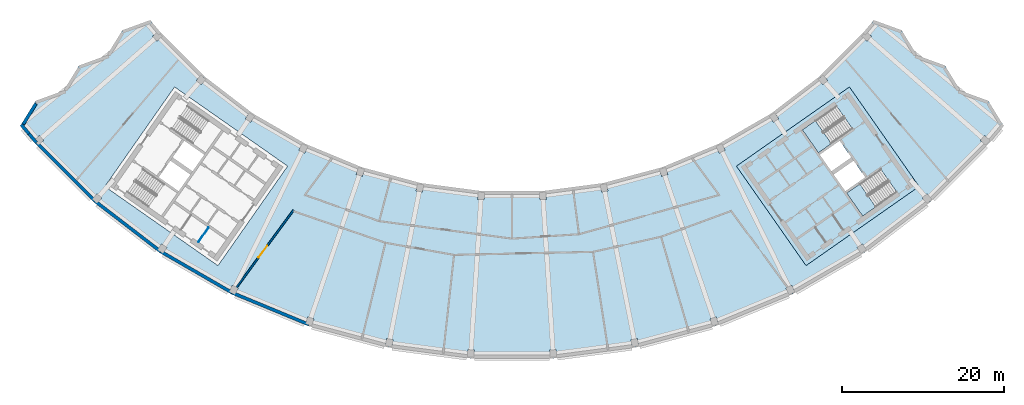
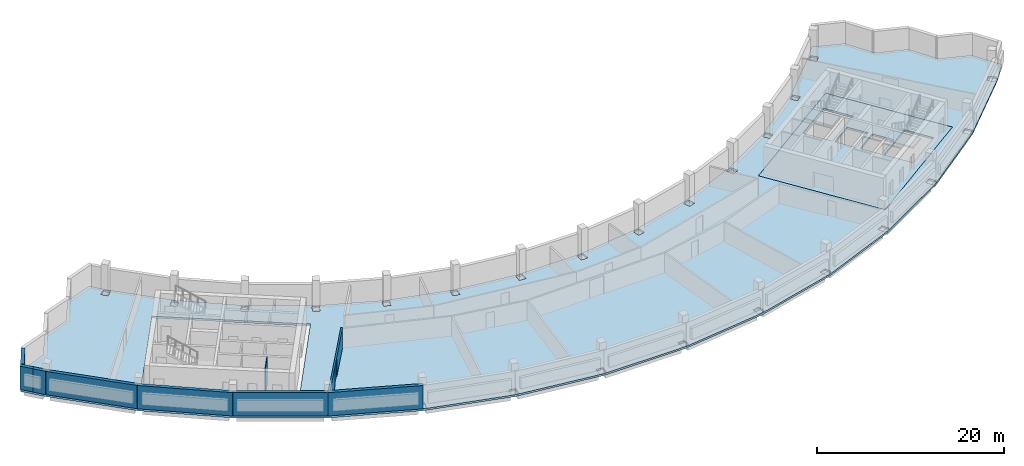
# One storey, part 2 of 11: 9 walls, 4 slabs, 1 door, 1 opening, 2 elements without a shape of their own.
"""IFC4 building model written with IfcOpenShell, lengths in metres."""

from ifc_helpers import new_model, si_unit, direction, frame, frame_2d, origin, place, context, subcontext, project, spatial, polyline, rectangle, outline, extrude, material, layer, layer_set, type_object, element, fill, aggregate, save


model = new_model("IFC4")

# Units and contexts
model_context = context("Model", 3, precision=1e-05, world=origin(), true_north=direction((0.0, 1.0)))
body_context = subcontext(model_context, "Body", "Model", "MODEL_VIEW")
ifc_project = project(units=[si_unit("LENGTHUNIT", "METRE"), si_unit("AREAUNIT", "SQUARE_METRE"), si_unit("VOLUMEUNIT", "CUBIC_METRE"), si_unit("PLANEANGLEUNIT", "RADIAN"), si_unit("MASSUNIT", "GRAM", prefix="KILO")], contexts=[model_context])

# Site, building, storey
site_placement = place(None, origin())
site = spatial("IfcSite", under=ifc_project, at=site_placement, CompositionType="ELEMENT")
building_placement = place(site_placement, origin())
building = spatial("IfcBuilding", under=site, at=building_placement, Name="Qamariyya Broadcast Tower", CompositionType="ELEMENT")
storey_placement = place(building_placement, frame((0.0, 0.0, 302.699951171875)))
storey = spatial("IfcBuildingStorey", under=building, at=storey_placement, Name="L73", CompositionType="ELEMENT", Elevation=302.699951171875)

# Slabs
ifc_material_1 = material(Name="Concrete C40/50", Category="concrete")
ifc_layer_1 = layer(ifc_material_1, 0.25)
ifc_layer_set_1 = layer_set([ifc_layer_1], Name="Core floor slab 250 mm Concrete C40/50")
slab_type_1 = type_object("IfcSlabType", Name="Core floor slab 250 mm Concrete C40/50", PredefinedType="FLOOR", material=ifc_layer_set_1)
slab_1_placement = place(storey_placement, frame((0.0, 0.0, -0.25)))
element("IfcSlab", 1, at=slab_1_placement, inside=storey, type_object=slab_type_1, Name="k-E-L73-slab", PredefinedType="FLOOR", context=body_context, shape_type="SweptSolid", body=[
    extrude(outline(polyline([(36.32373046875, -66.734375), (50.286376953125, -56.95751953125), (41.6826171875, -44.67041015625), (27.719970703125, -54.447021484375), (36.32373046875, -66.734375)]), holes=[polyline([(39.742431640625, -55.489990234375), (42.199951171875, -53.769287109375), (43.6337890625, -55.817138671875), (41.17626953125, -57.537841796875), (39.742431640625, -55.489990234375)]), polyline([(39.45556640625, -55.080322265625), (41.9130859375, -53.359619140625), (40.47900390625, -51.311767578125), (38.021728515625, -53.032470703125), (39.45556640625, -55.080322265625)]), polyline([(40.082275390625, -47.01171875), (35.870849609375, -49.960693359375), (37.849609375, -52.78662109375), (42.06103515625, -49.837890625), (40.082275390625, -47.01171875)]), polyline([(45.559814453125, -54.834716796875), (41.348388671875, -57.783447265625), (43.3271484375, -60.609619140625), (47.538818359375, -57.66064453125), (45.559814453125, -54.834716796875)])]), origin(), (0.0, 0.0, 1.0), 0.25),
])
ifc_layer_2 = layer(ifc_material_1, 0.25)
ifc_layer_set_2 = layer_set([ifc_layer_2], Name="Post-tensioned floor slab 250 C40/50")
slab_type_2 = type_object("IfcSlabType", Name="Post-tensioned floor slab 250 C40/50", PredefinedType="FLOOR", material=ifc_layer_set_2)
slab_2_placement = place(storey_placement, frame((0.0, 0.0, -0.25)))
element("IfcSlab", 2, at=slab_2_placement, inside=storey, type_object=slab_type_2, Name="Floor slab S5 L73", PredefinedType="FLOOR", context=body_context, shape_type="SweptSolid", body=[
    extrude(outline(polyline([(-58.822509765625, -46.367431640625), (-60.746826171875, -49.482666015625), (-58.90673828125, -51.65966796875), (-51.65966796875, -58.90673828125), (-43.52880859375, -65.145751953125), (-34.6533203125, -70.27001953125), (-25.184814453125, -74.19189453125), (-15.285400390625, -76.844482421875), (-5.124267578125, -78.18212890625), (5.124267578125, -78.18212890625), (15.285400390625, -76.844482421875), (25.184814453125, -74.19189453125), (34.6533203125, -70.27001953125), (43.52880859375, -65.145751953125), (51.65966796875, -58.90673828125), (58.90673828125, -51.65966796875), (60.746826171875, -49.482666015625), (58.822509765625, -46.367431640625), (55.397216796875, -45.125), (53.471923828125, -42.009033203125), (50.04736328125, -40.76708984375), (48.12109375, -37.650634765625), (44.697509765625, -36.409423828125), (43.343505859375, -38.01123046875), (38.01123046875, -43.343505859375), (32.028564453125, -47.934326171875), (25.498046875, -51.704833984375), (18.531005859375, -54.590576171875), (11.2470703125, -56.542236328125), (3.7705078125, -57.526611328125), (-3.7705078125, -57.526611328125), (-11.2470703125, -56.542236328125), (-18.531005859375, -54.590576171875), (-25.498046875, -51.704833984375), (-32.028564453125, -47.934326171875), (-38.01123046875, -43.343505859375), (-43.343505859375, -38.01123046875), (-44.697509765625, -36.409423828125), (-48.12109375, -37.650634765625), (-50.04736328125, -40.76708984375), (-53.471923828125, -42.009033203125), (-55.397216796875, -45.125), (-58.822509765625, -46.367431640625)]), holes=[polyline([(-4.71533203125, -78.058837890625), (-5.513671875, -78.00634765625), (-5.454833984375, -77.1083984375), (-4.656494140625, -77.16064453125), (-4.71533203125, -78.058837890625)]), polyline([(-15.6484375, -76.619384765625), (-15.472900390625, -75.736572265625), (-14.688232421875, -75.892822265625), (-14.86376953125, -76.775390625), (-15.6484375, -76.619384765625)]), polyline([(-25.515380859375, -73.92138671875), (-25.22607421875, -73.069091796875), (-24.468505859375, -73.326171875), (-24.7578125, -74.178466796875), (-25.515380859375, -73.92138671875)]), polyline([(-34.94580078125, -69.95849609375), (-34.547607421875, -69.1513671875), (-33.830078125, -69.505126953125), (-34.228271484375, -70.312255859375), (-34.94580078125, -69.95849609375)]), polyline([(-43.778076171875, -64.798583984375), (-43.278076171875, -64.05029296875), (-42.613037109375, -64.494873046875), (-43.113037109375, -65.2431640625), (-43.778076171875, -64.798583984375)]), polyline([(-51.861572265625, -58.530029296875), (-51.26806640625, -57.853515625), (-50.666748046875, -58.380859375), (-51.260009765625, -59.0576171875), (-51.861572265625, -58.530029296875)]), polyline([(-4.23828125, -58.548095703125), (-4.179443359375, -57.650146484375), (-3.381103515625, -57.702392578125), (-3.43994140625, -58.6005859375), (-4.23828125, -58.548095703125)]), polyline([(-11.843994140625, -57.494140625), (-11.66845703125, -56.611328125), (-10.8837890625, -56.767333984375), (-11.0595703125, -57.650146484375), (-11.843994140625, -57.494140625)]), polyline([(-50.286376953125, -56.95751953125), (-41.6826171875, -44.67041015625), (-27.719970703125, -54.447021484375), (-36.32373046875, -66.734375), (-50.286376953125, -56.95751953125)]), polyline([(-19.247314453125, -55.456298828125), (-18.9580078125, -54.60400390625), (-18.200439453125, -54.861083984375), (-18.48974609375, -55.71337890625), (-19.247314453125, -55.456298828125)]), polyline([(-26.321044921875, -52.469482421875), (-25.923095703125, -51.662353515625), (-25.20556640625, -52.01611328125), (-25.603515625, -52.8232421875), (-26.321044921875, -52.469482421875)]), polyline([(-59.0576171875, -51.260009765625), (-58.380859375, -50.666748046875), (-57.853515625, -51.26806640625), (-58.530029296875, -51.861572265625), (-59.0576171875, -51.260009765625)]), polyline([(-32.944580078125, -48.5849609375), (-32.444580078125, -47.836669921875), (-31.779296875, -48.28125), (-32.279296875, -49.029541015625), (-32.944580078125, -48.5849609375)]), polyline([(-39.00439453125, -43.869140625), (-38.410888671875, -43.192626953125), (-37.8095703125, -43.719970703125), (-38.40283203125, -44.396728515625), (-39.00439453125, -43.869140625)]), polyline([(-44.396728515625, -38.40283203125), (-43.719970703125, -37.8095703125), (-43.192626953125, -38.410888671875), (-43.869140625, -39.00439453125), (-44.396728515625, -38.40283203125)]), polyline([(5.513671875, -78.00634765625), (4.71533203125, -78.058837890625), (4.656494140625, -77.16064453125), (5.454833984375, -77.1083984375), (5.513671875, -78.00634765625)]), polyline([(14.86376953125, -76.775390625), (14.688232421875, -75.892822265625), (15.472900390625, -75.736572265625), (15.6484375, -76.619384765625), (14.86376953125, -76.775390625)]), polyline([(24.7578125, -74.178466796875), (24.468505859375, -73.326171875), (25.22607421875, -73.069091796875), (25.515380859375, -73.92138671875), (24.7578125, -74.178466796875)]), polyline([(34.228271484375, -70.312255859375), (33.830078125, -69.505126953125), (34.547607421875, -69.1513671875), (34.94580078125, -69.95849609375), (34.228271484375, -70.312255859375)]), polyline([(43.113037109375, -65.2431640625), (42.613037109375, -64.494873046875), (43.278076171875, -64.05029296875), (43.778076171875, -64.798583984375), (43.113037109375, -65.2431640625)]), polyline([(51.260009765625, -59.0576171875), (50.666748046875, -58.380859375), (51.26806640625, -57.853515625), (51.861572265625, -58.530029296875), (51.260009765625, -59.0576171875)]), polyline([(3.43994140625, -58.6005859375), (3.381103515625, -57.702392578125), (4.179443359375, -57.650146484375), (4.23828125, -58.548095703125), (3.43994140625, -58.6005859375)]), polyline([(11.0595703125, -57.650146484375), (10.8837890625, -56.767333984375), (11.66845703125, -56.611328125), (11.843994140625, -57.494140625), (11.0595703125, -57.650146484375)]), polyline([(36.32373046875, -66.734375), (27.719970703125, -54.447021484375), (41.6826171875, -44.67041015625), (50.286376953125, -56.95751953125), (36.32373046875, -66.734375)]), polyline([(18.48974609375, -55.71337890625), (18.200439453125, -54.861083984375), (18.9580078125, -54.60400390625), (19.247314453125, -55.456298828125), (18.48974609375, -55.71337890625)]), polyline([(25.603515625, -52.8232421875), (25.20556640625, -52.01611328125), (25.923095703125, -51.662353515625), (26.321044921875, -52.469482421875), (25.603515625, -52.8232421875)]), polyline([(58.530029296875, -51.861572265625), (57.853515625, -51.26806640625), (58.380859375, -50.666748046875), (59.0576171875, -51.260009765625), (58.530029296875, -51.861572265625)]), polyline([(32.279296875, -49.029541015625), (31.779296875, -48.28125), (32.444580078125, -47.836669921875), (32.944580078125, -48.5849609375), (32.279296875, -49.029541015625)]), polyline([(38.40283203125, -44.396728515625), (37.8095703125, -43.719970703125), (38.410888671875, -43.192626953125), (39.00439453125, -43.869140625), (38.40283203125, -44.396728515625)]), polyline([(43.869140625, -39.00439453125), (43.192626953125, -38.410888671875), (43.719970703125, -37.8095703125), (44.396728515625, -38.40283203125), (43.869140625, -39.00439453125)])]), origin(), (0.0, 0.0, 1.0), 0.25),
])

# Stair, slab
ifc_material_2 = material(Name="Concrete C50/60", Category="concrete")
stair_type = type_object("IfcStairType", Name="Exit stair 24 risers of 167 mm", PredefinedType="HALF_TURN_STAIR", material=ifc_material_2)
stair_1_placement = place(storey_placement, origin())
stair_1 = element("IfcStair", 3, at=stair_1_placement, inside=storey, type_object=stair_type, Name="L73 Stair E2", PredefinedType="HALF_TURN_STAIR")
ifc_layer_3 = layer(ifc_material_2, 0.199951171875)
ifc_layer_set_3 = layer_set([ifc_layer_3], Name="Stair landing")
slab_type_3 = type_object("IfcSlabType", Name="Stair landing", PredefinedType="LANDING", material=ifc_layer_set_3)
slab_3_placement = place(storey_placement, frame((0.0, 0.0, 1.800048828125)))
slab_3 = element("IfcSlab", 4, at=slab_3_placement, type_object=slab_type_3, Name="ST-E2 landing 1", PredefinedType="LANDING", context=body_context, shape_type="SweptSolid", body=[
    extrude(outline(polyline([(37.475830078125, -48.8369140625), (35.870849609375, -49.960693359375), (37.849609375, -52.78662109375), (39.45458984375, -51.662841796875), (37.475830078125, -48.8369140625)])), origin(), (0.0, 0.0, 1.0), 0.199951171875),
])
aggregate(stair_1, [slab_3])

stair_2_placement = place(storey_placement, origin())
stair_2 = element("IfcStair", 5, at=stair_2_placement, inside=storey, type_object=stair_type, Name="L73 Stair E1", PredefinedType="HALF_TURN_STAIR")
slab_4_placement = place(storey_placement, frame((0.0, 0.0, 1.800048828125)))
slab_4 = element("IfcSlab", 6, at=slab_4_placement, type_object=slab_type_3, Name="ST-E1 landing 1", PredefinedType="LANDING", context=body_context, shape_type="SweptSolid", body=[
    extrude(outline(polyline([(42.953369140625, -56.65966796875), (41.348388671875, -57.783447265625), (43.3271484375, -60.609619140625), (44.93212890625, -59.48583984375), (42.953369140625, -56.65966796875)])), origin(), (0.0, 0.0, 1.0), 0.199951171875),
])
aggregate(stair_2, [slab_4])

# Wall, opening, door
ifc_material_3 = material(Name="Masonry block wall", Category="masonry")
ifc_layer_4 = layer(ifc_material_3, 0.199951171875)
ifc_layer_set_4 = layer_set([ifc_layer_4], Name="Plant room wall 200 EI 120")
wall_type_1 = type_object("IfcWallType", Name="Plant room wall 200 EI 120", PredefinedType="PARTITIONING", material=ifc_layer_set_4)
wall_1_placement = place(storey_placement, frame((-26.998046875, -59.89892578125, 0.0), z_axis=(0.0, 0.0, 1.0), x_axis=(-0.593866233023, -0.804563793167, 0.0)))
wall_1 = element("IfcWall", 7, at=wall_1_placement, inside=storey, type_object=wall_type_1, Name="Partition L73-002", PredefinedType="PARTITIONING", context=body_context, shape_type="SweptSolid", body=[
    extrude(rectangle(XDim=12.6904296875, YDim=0.199951171875, at=frame_2d((6.34521484375, 0.0))), origin(), (0.0, 0.0, 1.0), 2.60009765625),
])
opening_placement = place(wall_1_placement, frame((5.445068359375, 0.0, 0.0)))
opening = element("IfcOpeningElement", 8, at=opening_placement, cuts=wall_1, Name="Opening L73-D01", PredefinedType="OPENING", context=body_context, shape_type="SweptSolid", body=[
    extrude(rectangle(XDim=1.800048828125, YDim=2.39990234375, at=frame_2d((0.89990234375, 1.199951171875))), frame((0.0, 0.10986328125, 0.0), z_axis=(0.0, -1.0, 0.0), x_axis=(1.0, 0.0, 0.0)), (0.0, 0.0, 1.0), 0.219970703125),
])
ifc_material_4 = material(Name="Insulated metal door leaf")
door_type = type_object("IfcDoorType", Name="Plant double door 1800 x 2400 FD120", OperationType="NOTDEFINED", PredefinedType="DOOR", material=ifc_material_4)
door_placement = place(opening_placement, origin())
door = element("IfcDoor", 9, at=door_placement, inside=storey, type_object=door_type, Name="Door L73-D01", OperationType="DOUBLE_DOOR_SINGLE_SWING", OverallHeight=2.39990234375, OverallWidth=1.800048828125, PredefinedType="DOOR", context=body_context, shape_type="SweptSolid", body=[
    extrude(rectangle(XDim=1.800048828125, YDim=2.39990234375, at=frame_2d((0.89990234375, 1.199951171875))), frame((0.0, 0.02490234375, 0.0), z_axis=(0.0, -1.0, 0.0), x_axis=(1.0, 0.0, 0.0)), (0.0, 0.0, 1.0), 0.050048828125),
])
fill(opening, door)

# Walls
ifc_material_5 = material(Name="Fire-rated gypsum shaft liner on steel studs", Category="steel")
ifc_layer_5 = layer(ifc_material_5, 0.10009765625)
ifc_layer_set_5 = layer_set([ifc_layer_5], Name="Riser wall 100 mm")
wall_type_2 = type_object("IfcWallType", Name="Riser wall 100 mm", PredefinedType="PLUMBINGWALL", material=ifc_layer_set_5)
wall_2_placement = place(storey_placement, frame((-37.47802734375, -62.01953125, 0.0), z_axis=(0.0, 0.0, 1.0), x_axis=(-0.573581496053, -0.819148501424, 0.0)))
element("IfcWall", 10, at=wall_2_placement, inside=storey, type_object=wall_type_2, Name="k-W-L73-SP265", PredefinedType="PLUMBINGWALL", context=body_context, shape_type="SweptSolid", body=[
    extrude(rectangle(XDim=2.2001953125, YDim=0.10009765625, at=frame_2d((1.10009765625, 0.0))), origin(), (0.0, 0.0, 1.0), 3.75),
])
ifc_material_6 = material(Name="Terracotta", Category="masonry")
ifc_layer_6 = layer(ifc_material_6, 0.39990234375)
ifc_layer_set_6 = layer_set([ifc_layer_6], Name="Solid terracotta louvred band wall 400")
wall_type_3 = type_object("IfcWallType", Name="Solid terracotta louvred band wall 400", PredefinedType="SOLIDWALL", material=ifc_layer_set_6)
wall_3_placement = place(storey_placement, frame((-58.805419921875, -46.720458984375, 0.0), z_axis=(0.0, 0.0, 1.0), x_axis=(-0.525538284274, -0.850769952315, 0.0)))
element("IfcWall", 11, at=wall_3_placement, inside=storey, type_object=wall_type_3, Name="e-wl-L73-capW5", PredefinedType="SOLIDWALL", context=body_context, shape_type="SweptSolid", body=[
    extrude(rectangle(XDim=2.976318359375, YDim=0.39990234375, at=frame_2d((1.48828125, 0.0))), origin(), (0.0, 0.0, 1.0), 3.050048828125),
])
wall_4_placement = place(storey_placement, frame((-60.623046875, -49.3193359375, 0.0), z_axis=(0.0, 0.0, 1.0), x_axis=(0.645510358639, -0.763751515148, 0.0)))
element("IfcWall", 12, at=wall_4_placement, inside=storey, type_object=wall_type_3, Name="e-wl-L73-out00", PredefinedType="SOLIDWALL", context=body_context, shape_type="SweptSolid", body=[
    extrude(rectangle(XDim=1.47021484375, YDim=0.39990234375, at=frame_2d((0.735107421875, 0.0))), origin(), (0.0, 0.0, 1.0), 3.050048828125),
])
wall_5_placement = place(storey_placement, frame((-59.674072265625, -50.442138671875, 0.0), z_axis=(0.0, 0.0, 1.0), x_axis=(0.645651771062, -0.763631973221, 0.0)))
element("IfcWall", 13, at=wall_5_placement, inside=storey, type_object=wall_type_3, Name="e-wl-L73-out01", PredefinedType="SOLIDWALL", context=body_context, shape_type="SweptSolid", body=[
    extrude(rectangle(XDim=1.431884765625, YDim=0.39990234375, at=frame_2d((0.7158203125, 0.0))), origin(), (0.0, 0.0, 1.0), 3.050048828125),
])
wall_6_placement = place(storey_placement, frame((-58.737060546875, -51.546630859375, 0.0), z_axis=(0.0, 0.0, 1.0), x_axis=(0.707118813872, -0.707094748296, 0.0)))
element("IfcWall", 14, at=wall_6_placement, inside=storey, type_object=wall_type_3, Name="e-wl-L73-out10", PredefinedType="SOLIDWALL", context=body_context, shape_type="SweptSolid", body=[
    extrude(rectangle(XDim=10.144775390625, YDim=0.39990234375, at=frame_2d((5.072265625, 0.0))), origin(), (0.0, 0.0, 1.0), 3.050048828125),
])
wall_7_placement = place(storey_placement, frame((-51.54736328125, -58.74072265625, 0.0), z_axis=(0.0, 0.0, 1.0), x_axis=(0.793354972355, -0.608759302055, 0.0)))
element("IfcWall", 15, at=wall_7_placement, inside=storey, type_object=wall_type_3, Name="e-wl-L73-out20", PredefinedType="SOLIDWALL", context=body_context, shape_type="SweptSolid", body=[
    extrude(rectangle(XDim=10.2724609375, YDim=0.39990234375, at=frame_2d((5.13623046875, 0.0))), origin(), (0.0, 0.0, 1.0), 3.050048828125),
])
wall_8_placement = place(storey_placement, frame((-43.37353515625, -65.00439453125, 0.0), z_axis=(0.0, 0.0, 1.0), x_axis=(0.866019679839, -0.500009914033, 0.0)))
element("IfcWall", 16, at=wall_8_placement, inside=storey, type_object=wall_type_3, Name="e-wl-L73-out30", PredefinedType="SOLIDWALL", context=body_context, shape_type="SweptSolid", body=[
    extrude(rectangle(XDim=10.120849609375, YDim=0.39990234375, at=frame_2d((5.060546875, 0.0))), origin(), (0.0, 0.0, 1.0), 3.050048828125),
])
wall_9_placement = place(storey_placement, frame((-34.587646484375, -70.08056640625, 0.0), z_axis=(0.0, 0.0, 1.0), x_axis=(0.923877211741, -0.382689035152, 0.0)))
element("IfcWall", 17, at=wall_9_placement, inside=storey, type_object=wall_type_3, Name="e-wl-L73-out40", PredefinedType="SOLIDWALL", context=body_context, shape_type="SweptSolid", body=[
    extrude(rectangle(XDim=10.2724609375, YDim=0.39990234375, at=frame_2d((5.13623046875, 0.0))), origin(), (0.0, 0.0, 1.0), 3.050048828125),
])

save(model, "model.ifc")
